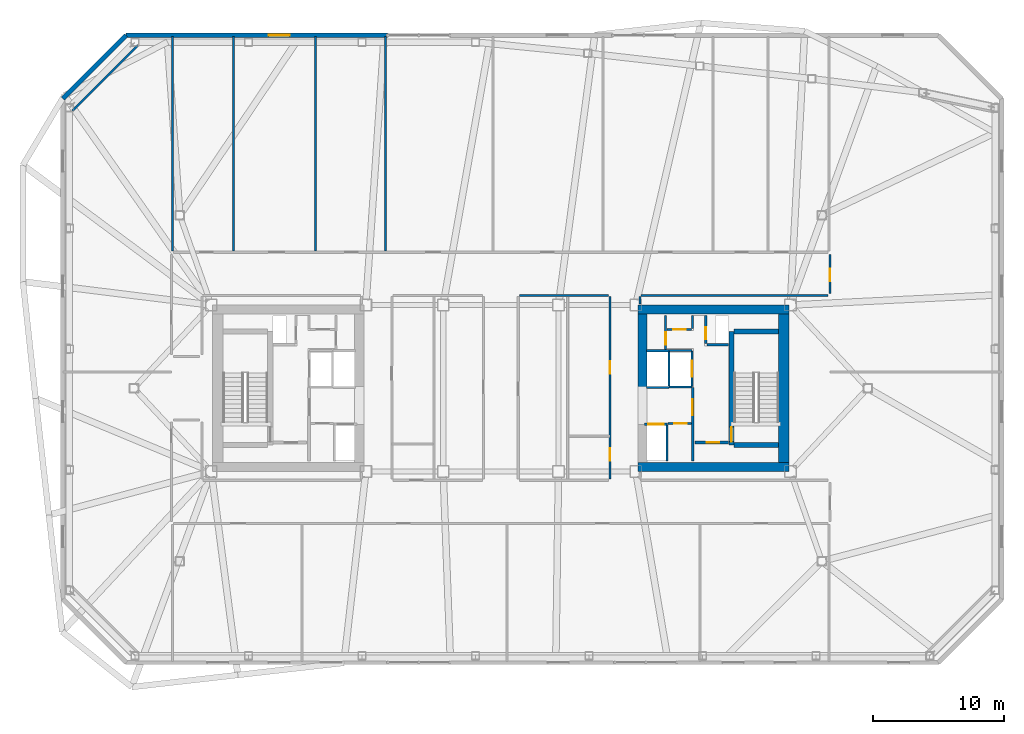
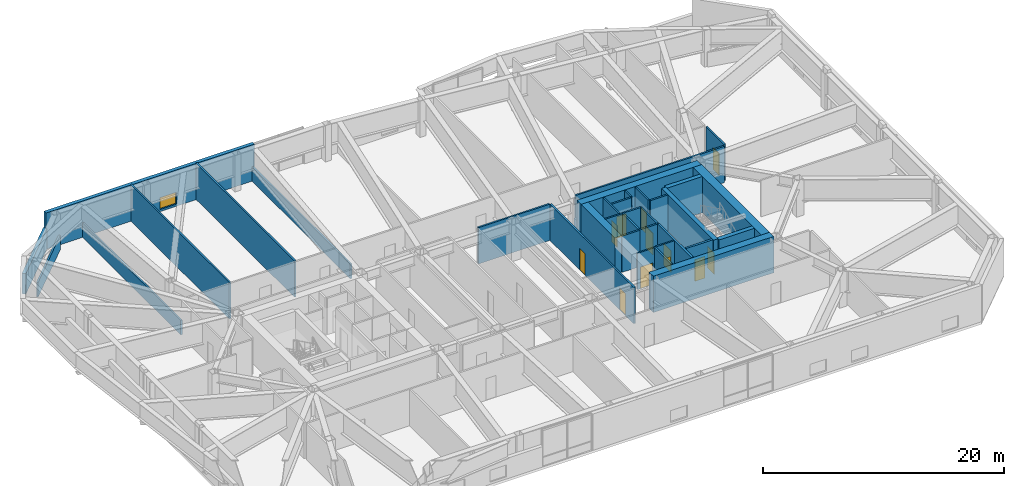
# One storey, part 14 of 19: 35 walls, 12 doors, 1 window, 13 openings.
"""IFC4 building model written with IfcOpenShell, lengths in metres."""

from ifc_helpers import new_model, si_unit, direction, frame, frame_2d, origin, place, context, subcontext, project, spatial, rectangle, extrude, material, layer, layer_set, type_object, element, fill, save


model = new_model("IFC4")

# Units and contexts
model_context = context("Model", 3, precision=1e-05, world=origin(), true_north=direction((0.0, 1.0)))
body_context = subcontext(model_context, "Body", "Model", "MODEL_VIEW")
ifc_project = project(units=[si_unit("LENGTHUNIT", "METRE"), si_unit("AREAUNIT", "SQUARE_METRE"), si_unit("VOLUMEUNIT", "CUBIC_METRE"), si_unit("PLANEANGLEUNIT", "RADIAN"), si_unit("MASSUNIT", "GRAM", prefix="KILO")], contexts=[model_context])

# Site, building, storey
site_placement = place(None, origin())
site = spatial("IfcSite", under=ifc_project, at=site_placement, CompositionType="ELEMENT")
building_placement = place(site_placement, origin())
building = spatial("IfcBuilding", under=site, at=building_placement, Name="Tavrogorsk Clinical Tower", CompositionType="ELEMENT")
storey_placement = place(building_placement, frame((0.0, 0.0, 204.199951171875)))
storey = spatial("IfcBuildingStorey", under=building, at=storey_placement, Name="L47", CompositionType="ELEMENT", Elevation=204.199951171875)

# Wall, opening, door
ifc_material_1 = material(Name="Concrete B60", Category="concrete")
ifc_layer_1 = layer(ifc_material_1, 0.199951171875)
ifc_layer_set_1 = layer_set([ifc_layer_1], Name="Concrete B60")
wall_type_1 = type_object("IfcWallType", Name="CoreFireWall_200", PredefinedType="SOLIDWALL", material=ifc_layer_set_1)
wall_1_placement = place(storey_placement, frame((14.824951171875, -4.139892578125, 0.0), z_axis=(0.0, 0.0, 1.0), x_axis=(1.0, 0.0, 0.0)))
wall_1 = element("IfcWall", 1, at=wall_1_placement, inside=storey, type_object=wall_type_1, Name="L47 Core East South Core Room Fire Wall", PredefinedType="SOLIDWALL", context=body_context, shape_type="SweptSolid", body=[
    extrude(rectangle(XDim=2.554931640625, YDim=0.199951171875, at=frame_2d((1.27734375, 0.0))), origin(), (0.0, 0.0, 1.0), 3.679931640625),
])
opening_1_placement = place(wall_1_placement, frame((0.8798828125, 0.0, 0.0)))
opening_1 = element("IfcOpeningElement", 2, at=opening_1_placement, cuts=wall_1, Name="Opening ID-02", PredefinedType="OPENING", context=body_context, shape_type="SweptSolid", body=[
    extrude(rectangle(XDim=0.949951171875, YDim=2.199951171875, at=frame_2d((0.47509765625, 1.10009765625))), frame((0.0, 0.10986328125, 0.0), z_axis=(0.0, -1.0, 0.0), x_axis=(1.0, 0.0, 0.0)), (0.0, 0.0, 1.0), 0.219970703125),
])
ifc_material_2 = material(Name="Laminated timber leaf on aluminium frame", Category="wood")
door_type_1 = type_object("IfcDoorType", Name="InteriorDoor_ID02_950", OperationType="NOTDEFINED", PredefinedType="DOOR", material=ifc_material_2)
door_1_placement = place(opening_1_placement, origin())
door_1 = element("IfcDoor", 3, at=door_1_placement, inside=storey, type_object=door_type_1, Name="L47 Core East South Core Room Door", OperationType="SINGLE_SWING_RIGHT", OverallHeight=2.199951171875, OverallWidth=0.949951171875, PredefinedType="DOOR", context=body_context, shape_type="SweptSolid", body=[
    extrude(rectangle(XDim=0.949951171875, YDim=2.199951171875, at=frame_2d((0.47509765625, 1.10009765625))), frame((0.0, 0.02490234375, 0.0), z_axis=(0.0, -1.0, 0.0), x_axis=(1.0, 0.0, 0.0)), (0.0, 0.0, 1.0), 0.050048828125),
])
fill(opening_1, door_1)

wall_2_placement = place(storey_placement, frame((14.639892578125, -5.56005859375, 0.0), z_axis=(0.0, 0.0, 1.0), x_axis=(0.0, 1.0, 0.0)))
wall_2 = element("IfcWall", 4, at=wall_2_placement, inside=storey, type_object=wall_type_1, Name="L47 Core East Firefighting Lobby Fire Wall", PredefinedType="SOLIDWALL", context=body_context, shape_type="SweptSolid", body=[
    extrude(rectangle(XDim=5.60009765625, YDim=0.199951171875, at=frame_2d((2.800048828125, 0.0))), origin(), (0.0, 0.0, 1.0), 3.679931640625),
])
opening_2_placement = place(wall_2_placement, frame((3.510009765625, 0.0, 0.0)))
opening_2 = element("IfcOpeningElement", 5, at=opening_2_placement, cuts=wall_2, Name="Opening FD-01", PredefinedType="OPENING", context=body_context, shape_type="SweptSolid", body=[
    extrude(rectangle(XDim=1.199951171875, YDim=2.199951171875, at=frame_2d((0.60009765625, 1.10009765625))), frame((0.0, 0.10986328125, 0.0), z_axis=(0.0, -1.0, 0.0), x_axis=(1.0, 0.0, 0.0)), (0.0, 0.0, 1.0), 0.219970703125),
])
ifc_material_3 = material(Name="Galvanised steel fire-rated door assembly", Category="steel")
door_type_2 = type_object("IfcDoorType", Name="FireDoor_FD01_1200", OperationType="NOTDEFINED", PredefinedType="DOOR", material=ifc_material_3)
door_2_placement = place(opening_2_placement, origin())
door_2 = element("IfcDoor", 6, at=door_2_placement, inside=storey, type_object=door_type_2, Name="L47 Core East Firefighting Lobby Entry Door", OperationType="SINGLE_SWING_RIGHT", OverallHeight=2.199951171875, OverallWidth=1.199951171875, PredefinedType="DOOR", context=body_context, shape_type="SweptSolid", body=[
    extrude(rectangle(XDim=1.199951171875, YDim=2.199951171875, at=frame_2d((0.60009765625, 1.10009765625))), frame((0.0, 0.02490234375, 0.0), z_axis=(0.0, -1.0, 0.0), x_axis=(1.0, 0.0, 0.0)), (0.0, 0.0, 1.0), 0.050048828125),
])
fill(opening_2, door_2)

ifc_material_4 = material(Name="Lightweight concrete blockwork B15", Category="masonry")
ifc_layer_2 = layer(ifc_material_4, 0.159912109375)
ifc_layer_set_2 = layer_set([ifc_layer_2], Name="Lightweight concrete blockwork B15")
wall_type_2 = type_object("IfcWallType", Name="PartitionWall_160", PredefinedType="PARTITIONING", material=ifc_layer_set_2)
wall_3_placement = place(storey_placement, frame((12.77490234375, -2.699951171875, 0.0), z_axis=(0.0, 0.0, 1.0), x_axis=(1.0, 0.0, 0.0)))
wall_3 = element("IfcWall", 7, at=wall_3_placement, inside=storey, type_object=wall_type_2, Name="L47 Core East Freed Low-Bank North Partition", PredefinedType="PARTITIONING", context=body_context, shape_type="SweptSolid", body=[
    extrude(rectangle(XDim=1.760009765625, YDim=0.159912109375, at=frame_2d((0.8798828125, 0.0))), origin(), (0.0, 0.0, 1.0), 3.679931640625),
])
opening_3_placement = place(wall_3_placement, frame((0.449951171875, 0.0, 0.0)))
opening_3 = element("IfcOpeningElement", 8, at=opening_3_placement, cuts=wall_3, Name="Opening ID-02", PredefinedType="OPENING", context=body_context, shape_type="SweptSolid", body=[
    extrude(rectangle(XDim=0.949951171875, YDim=2.199951171875, at=frame_2d((0.47509765625, 1.10009765625))), frame((0.0, 0.08984375, 0.0), z_axis=(0.0, -1.0, 0.0), x_axis=(1.0, 0.0, 0.0)), (0.0, 0.0, 1.0), 0.179931640625),
])
door_3_placement = place(opening_3_placement, origin())
door_3 = element("IfcDoor", 9, at=door_3_placement, inside=storey, type_object=door_type_1, Name="L47 Core East Biomedical Alcove Door", OperationType="SINGLE_SWING_LEFT", OverallHeight=2.199951171875, OverallWidth=0.949951171875, PredefinedType="DOOR", context=body_context, shape_type="SweptSolid", body=[
    extrude(rectangle(XDim=0.949951171875, YDim=2.199951171875, at=frame_2d((0.47509765625, 1.10009765625))), frame((0.0, 0.02490234375, 0.0), z_axis=(0.0, -1.0, 0.0), x_axis=(1.0, 0.0, 0.0)), (0.0, 0.0, 1.0), 0.050048828125),
])
fill(opening_3, door_3)

wall_4_placement = place(storey_placement, frame((12.580078125, 2.9599609375, 0.0), z_axis=(0.0, 0.0, 1.0), x_axis=(0.0, 1.0, 0.0)))
wall_4 = element("IfcWall", 10, at=wall_4_placement, inside=storey, type_object=wall_type_2, Name="L47 Core East Linen Closet Wall", PredefinedType="PARTITIONING", context=body_context, shape_type="SweptSolid", body=[
    extrude(rectangle(XDim=2.60009765625, YDim=0.159912109375, at=frame_2d((1.300048828125, 0.0))), origin(), (0.0, 0.0, 1.0), 3.679931640625),
])
opening_4_placement = place(wall_4_placement, frame((0.35009765625, 0.0, 0.0)))
opening_4 = element("IfcOpeningElement", 11, at=opening_4_placement, cuts=wall_4, Name="Opening ID-02", PredefinedType="OPENING", context=body_context, shape_type="SweptSolid", body=[
    extrude(rectangle(XDim=0.949951171875, YDim=2.199951171875, at=frame_2d((0.47509765625, 1.10009765625))), frame((0.0, 0.08984375, 0.0), z_axis=(0.0, -1.0, 0.0), x_axis=(1.0, 0.0, 0.0)), (0.0, 0.0, 1.0), 0.179931640625),
])
door_4_placement = place(opening_4_placement, origin())
door_4 = element("IfcDoor", 12, at=door_4_placement, inside=storey, type_object=door_type_1, Name="L47 Core East Linen Closet Door", OperationType="SINGLE_SWING_RIGHT", OverallHeight=2.199951171875, OverallWidth=0.949951171875, PredefinedType="DOOR", context=body_context, shape_type="SweptSolid", body=[
    extrude(rectangle(XDim=0.949951171875, YDim=2.199951171875, at=frame_2d((0.47509765625, 1.10009765625))), frame((0.0, 0.02490234375, 0.0), z_axis=(0.0, -1.0, 0.0), x_axis=(1.0, 0.0, 0.0)), (0.0, 0.0, 1.0), 0.050048828125),
])
fill(opening_4, door_4)

wall_5_placement = place(storey_placement, frame((12.6650390625, 4.47998046875, 0.0), z_axis=(0.0, 0.0, 1.0), x_axis=(1.0, 0.0, 0.0)))
wall_5 = element("IfcWall", 13, at=wall_5_placement, inside=storey, type_object=wall_type_2, Name="L47 Core East Housekeeping South Wall", PredefinedType="PARTITIONING", context=body_context, shape_type="SweptSolid", body=[
    extrude(rectangle(XDim=1.889892578125, YDim=0.159912109375, at=frame_2d((0.94482421875, 0.0))), origin(), (0.0, 0.0, 1.0), 3.679931640625),
])
opening_5_placement = place(wall_5_placement, frame((0.5, 0.0, 0.0)))
opening_5 = element("IfcOpeningElement", 14, at=opening_5_placement, cuts=wall_5, Name="Opening ID-02", PredefinedType="OPENING", context=body_context, shape_type="SweptSolid", body=[
    extrude(rectangle(XDim=0.949951171875, YDim=2.199951171875, at=frame_2d((0.47509765625, 1.10009765625))), frame((0.0, 0.08984375, 0.0), z_axis=(0.0, -1.0, 0.0), x_axis=(1.0, 0.0, 0.0)), (0.0, 0.0, 1.0), 0.179931640625),
])
door_5_placement = place(opening_5_placement, origin())
door_5 = element("IfcDoor", 15, at=door_5_placement, inside=storey, type_object=door_type_1, Name="L47 Core East Housekeeping Closet Door", OperationType="SINGLE_SWING_LEFT", OverallHeight=2.199951171875, OverallWidth=0.949951171875, PredefinedType="DOOR", context=body_context, shape_type="SweptSolid", body=[
    extrude(rectangle(XDim=0.949951171875, YDim=2.199951171875, at=frame_2d((0.47509765625, 1.10009765625))), frame((0.0, 0.02490234375, 0.0), z_axis=(0.0, -1.0, 0.0), x_axis=(1.0, 0.0, 0.0)), (0.0, 0.0, 1.0), 0.050048828125),
])
fill(opening_5, door_5)

# Walls
wall_6_placement = place(storey_placement, frame((14.639892578125, 4.56494140625, 0.0), z_axis=(0.0, 0.0, 1.0), x_axis=(0.0, 1.0, 0.0)))
element("IfcWall", 16, at=wall_6_placement, inside=storey, type_object=wall_type_2, Name="L47 Core East Housekeeping East Wall", PredefinedType="PARTITIONING", context=body_context, shape_type="SweptSolid", body=[
    extrude(rectangle(XDim=0.9951171875, YDim=0.159912109375, at=frame_2d((0.49755859375, 0.0))), origin(), (0.0, 0.0, 1.0), 3.679931640625),
])
wall_7_placement = place(storey_placement, frame((-27.6796875, 26.1796875, 0.0), z_axis=(0.0, 0.0, 1.0), x_axis=(-0.707106781187, -0.707106781187, 0.0)))
element("IfcWall", 17, at=wall_7_placement, inside=storey, type_object=wall_type_2, Name="L47 Corner Exoskeleton Brace Furring Wall 3", PredefinedType="PARTITIONING", context=body_context, shape_type="SweptSolid", body=[
    extrude(rectangle(XDim=7.071044921875, YDim=0.159912109375, at=frame_2d((3.53564453125, 0.0))), origin(), (0.0, 0.0, 1.0), 1.47509765625),
])

# Wall, opening, door
wall_8_placement = place(storey_placement, frame((25.1298828125, 10.215087890625, 0.0), z_axis=(0.0, 0.0, 1.0), x_axis=(0.0, -1.0, 0.0)))
wall_8 = element("IfcWall", 18, at=wall_8_placement, inside=storey, type_object=wall_type_2, Name="L47 Corridor Partition 12", PredefinedType="PARTITIONING", context=body_context, shape_type="SweptSolid", body=[
    extrude(rectangle(XDim=2.97998046875, YDim=0.159912109375, at=frame_2d((1.489990234375, 0.0))), origin(), (0.0, 0.0, 1.0), 3.679931640625),
])
opening_6_placement = place(wall_8_placement, frame((1.10009765625, 0.0, 0.0)))
opening_6 = element("IfcOpeningElement", 19, at=opening_6_placement, cuts=wall_8, Name="Opening ID-02", PredefinedType="OPENING", context=body_context, shape_type="SweptSolid", body=[
    extrude(rectangle(XDim=0.949951171875, YDim=2.199951171875, at=frame_2d((0.47509765625, 1.10009765625))), frame((0.0, 0.08984375, 0.0), z_axis=(0.0, -1.0, 0.0), x_axis=(1.0, 0.0, 0.0)), (0.0, 0.0, 1.0), 0.179931640625),
])
door_6_placement = place(opening_6_placement, origin())
door_6 = element("IfcDoor", 20, at=door_6_placement, inside=storey, type_object=door_type_1, Name="L47 E Multidisciplinary Seminar Suite 2 Door", OperationType="SINGLE_SWING_RIGHT", OverallHeight=2.199951171875, OverallWidth=0.949951171875, PredefinedType="DOOR", context=body_context, shape_type="SweptSolid", body=[
    extrude(rectangle(XDim=0.949951171875, YDim=2.199951171875, at=frame_2d((0.47509765625, 1.10009765625))), frame((0.0, 0.02490234375, 0.0), z_axis=(0.0, -1.0, 0.0), x_axis=(1.0, 0.0, 0.0)), (0.0, 0.0, 1.0), 0.050048828125),
])
fill(opening_6, door_6)

# Walls
wall_9_placement = place(storey_placement, frame((24.965087890625, 7.070068359375, 0.0), z_axis=(0.0, 0.0, 1.0), x_axis=(-1.0, 0.0, 0.0)))
element("IfcWall", 21, at=wall_9_placement, inside=storey, type_object=wall_type_2, Name="L47 Corridor Partition 13", PredefinedType="PARTITIONING", context=body_context, shape_type="SweptSolid", body=[
    extrude(rectangle(XDim=14.25, YDim=0.159912109375, at=frame_2d((7.125, 0.0))), origin(), (0.0, 0.0, 1.0), 3.679931640625),
])
wall_10_placement = place(storey_placement, frame((10.6298828125, 6.985107421875, 0.0), z_axis=(0.0, 0.0, 1.0), x_axis=(0.0, -1.0, 0.0)))
element("IfcWall", 22, at=wall_10_placement, inside=storey, type_object=wall_type_2, Name="L47 Corridor Partition 14", PredefinedType="PARTITIONING", context=body_context, shape_type="SweptSolid", body=[
    extrude(rectangle(XDim=0.565185546875, YDim=0.159912109375, at=frame_2d((0.28271484375, 0.0))), origin(), (0.0, 0.0, 1.0), 1.47509765625),
])
wall_11_placement = place(storey_placement, frame((8.235107421875, 7.070068359375, 0.0), z_axis=(0.0, 0.0, 1.0), x_axis=(-1.0, 0.0, 0.0)))
element("IfcWall", 23, at=wall_11_placement, inside=storey, type_object=wall_type_2, Name="L47 Corridor Partition 19", PredefinedType="PARTITIONING", context=body_context, shape_type="SweptSolid", body=[
    extrude(rectangle(XDim=6.820068359375, YDim=0.159912109375, at=frame_2d((3.41015625, 0.0))), origin(), (0.0, 0.0, 1.0), 3.679931640625),
])

# Wall, openings, doors
wall_12_placement = place(storey_placement, frame((8.320068359375, -6.93505859375, 0.0), z_axis=(0.0, 0.0, 1.0), x_axis=(0.0, 1.0, 0.0)))
wall_12 = element("IfcWall", 24, at=wall_12_placement, inside=storey, type_object=wall_type_2, Name="L47 Corridor Partition 22", PredefinedType="PARTITIONING", context=body_context, shape_type="SweptSolid", body=[
    extrude(rectangle(XDim=13.920166015625, YDim=0.159912109375, at=frame_2d((6.9599609375, 0.0))), origin(), (0.0, 0.0, 1.0), 3.679931640625),
])
opening_7_placement = place(wall_12_placement, frame((1.404052734375, 0.0, 0.0)))
opening_7 = element("IfcOpeningElement", 25, at=opening_7_placement, cuts=wall_12, Name="Opening ID-02", PredefinedType="OPENING", context=body_context, shape_type="SweptSolid", body=[
    extrude(rectangle(XDim=0.949951171875, YDim=2.199951171875, at=frame_2d((0.47509765625, 1.10009765625))), frame((0.0, 0.08984375, 0.0), z_axis=(0.0, -1.0, 0.0), x_axis=(1.0, 0.0, 0.0)), (0.0, 0.0, 1.0), 0.179931640625),
])
opening_8_placement = place(wall_12_placement, frame((8.060791015625, 0.0, 0.0)))
opening_8 = element("IfcOpeningElement", 26, at=opening_8_placement, cuts=wall_12, Name="Opening ID-02", PredefinedType="OPENING", context=body_context, shape_type="SweptSolid", body=[
    extrude(rectangle(XDim=0.949951171875, YDim=2.199951171875, at=frame_2d((0.47509765625, 1.10009765625))), frame((0.0, 0.08984375, 0.0), z_axis=(0.0, -1.0, 0.0), x_axis=(1.0, 0.0, 0.0)), (0.0, 0.0, 1.0), 0.179931640625),
])
door_7_placement = place(opening_7_placement, origin())
door_7 = element("IfcDoor", 27, at=door_7_placement, inside=storey, type_object=door_type_1, Name="L47 Staff & Visitor Accessible WC Door", OperationType="SINGLE_SWING_LEFT", OverallHeight=2.199951171875, OverallWidth=0.949951171875, PredefinedType="DOOR", context=body_context, shape_type="SweptSolid", body=[
    extrude(rectangle(XDim=0.949951171875, YDim=2.199951171875, at=frame_2d((0.47509765625, 1.10009765625))), frame((0.0, 0.02490234375, 0.0), z_axis=(0.0, -1.0, 0.0), x_axis=(1.0, 0.0, 0.0)), (0.0, 0.0, 1.0), 0.050048828125),
])
fill(opening_7, door_7)
door_8_placement = place(opening_8_placement, origin())
door_8 = element("IfcDoor", 28, at=door_8_placement, inside=storey, type_object=door_type_1, Name="L47 Resident Clinician Study Door", OperationType="SINGLE_SWING_RIGHT", OverallHeight=2.199951171875, OverallWidth=0.949951171875, PredefinedType="DOOR", context=body_context, shape_type="SweptSolid", body=[
    extrude(rectangle(XDim=0.949951171875, YDim=2.199951171875, at=frame_2d((0.47509765625, 1.10009765625))), frame((0.0, 0.02490234375, 0.0), z_axis=(0.0, -1.0, 0.0), x_axis=(1.0, 0.0, 0.0)), (0.0, 0.0, 1.0), 0.050048828125),
])
fill(opening_8, door_8)

# Walls
wall_13_placement = place(storey_placement, frame((-25.050048828125, 10.465087890625, 0.0), z_axis=(0.0, 0.0, 1.0), x_axis=(0.0, 1.0, 0.0)))
element("IfcWall", 29, at=wall_13_placement, inside=storey, type_object=wall_type_2, Name="L47 NW Wing Closure Partition", PredefinedType="PARTITIONING", context=body_context, shape_type="SweptSolid", body=[
    extrude(rectangle(XDim=16.39501953125, YDim=0.159912109375, at=frame_2d((8.197509765625, 0.0))), origin(), (0.0, 0.0, 1.0), 1.47509765625),
])
wall_14_placement = place(storey_placement, frame((-20.39990234375, 10.465087890625, 0.0), z_axis=(0.0, 0.0, 1.0), x_axis=(0.0, 1.0, 0.0)))
element("IfcWall", 30, at=wall_14_placement, inside=storey, type_object=wall_type_2, Name="L47 North Room Partition 1", PredefinedType="PARTITIONING", context=body_context, shape_type="SweptSolid", body=[
    extrude(rectangle(XDim=16.39501953125, YDim=0.159912109375, at=frame_2d((8.197509765625, 0.0))), origin(), (0.0, 0.0, 1.0), 3.679931640625),
])
wall_15_placement = place(storey_placement, frame((-8.800048828125, 10.465087890625, 0.0), z_axis=(0.0, 0.0, 1.0), x_axis=(0.0, 1.0, 0.0)))
element("IfcWall", 31, at=wall_15_placement, inside=storey, type_object=wall_type_2, Name="L47 North Room Partition 2", PredefinedType="PARTITIONING", context=body_context, shape_type="SweptSolid", body=[
    extrude(rectangle(XDim=16.39501953125, YDim=0.159912109375, at=frame_2d((8.197509765625, 0.0))), origin(), (0.0, 0.0, 1.0), 1.47509765625),
])
wall_16_placement = place(storey_placement, frame((-14.14990234375, 10.465087890625, 0.0), z_axis=(0.0, 0.0, 1.0), x_axis=(0.0, 1.0, 0.0)))
element("IfcWall", 32, at=wall_16_placement, inside=storey, type_object=wall_type_2, Name="L47 North Sub-Partition 2", PredefinedType="PARTITIONING", context=body_context, shape_type="SweptSolid", body=[
    extrude(rectangle(XDim=16.39501953125, YDim=0.159912109375, at=frame_2d((8.197509765625, 0.0))), origin(), (0.0, 0.0, 1.0), 3.679931640625),
])

# Wall, opening, window
ifc_material_5 = material(Name="Precast concrete B45 with limestone cladding", Category="masonry")
ifc_layer_3 = layer(ifc_material_5, 0.340087890625)
ifc_layer_set_3 = layer_set([ifc_layer_3], Name="Precast concrete B45 with limestone cladding")
wall_type_3 = type_object("IfcWallType", Name="PrecastLimestoneWall_340", PredefinedType="STANDARD", material=ifc_layer_set_3)
wall_17_placement = place(storey_placement, frame((-8.662841796875, 26.929931640625, 0.0), z_axis=(0.0, 0.0, 1.0), x_axis=(-1.0, 0.0, 0.0)))
wall_17 = element("IfcWall", 33, at=wall_17_placement, inside=storey, type_object=wall_type_3, Name="L47 N Limestone Facade Wall 3", PredefinedType="STANDARD", context=body_context, shape_type="SweptSolid", body=[
    extrude(rectangle(XDim=19.937255859375, YDim=0.340087890625, at=frame_2d((9.96875, 0.0))), origin(), (0.0, 0.0, 1.0), 3.679931640625),
])
opening_9_placement = place(wall_17_placement, frame((7.455322265625, 0.0, 0.219970703125)))
opening_9 = element("IfcOpeningElement", 34, at=opening_9_placement, cuts=wall_17, Name="Opening WN-09", PredefinedType="OPENING", context=body_context, shape_type="SweptSolid", body=[
    extrude(rectangle(XDim=1.60009765625, YDim=1.199951171875, at=frame_2d((0.800048828125, 0.60009765625))), frame((0.0, 0.179931640625, 0.0), z_axis=(0.0, -1.0, 0.0), x_axis=(1.0, 0.0, 0.0)), (0.0, 0.0, 1.0), 0.360107421875),
])
ifc_material_6 = material(Name="Thermally broken aluminium frame and triple IGU", Category="aluminium")
window_type = type_object("IfcWindowType", Name="LowHeadTransWin_1600x1200", PartitioningType="DOUBLE_PANEL_VERTICAL", PredefinedType="WINDOW", material=ifc_material_6)
window_placement = place(opening_9_placement, origin())
window = element("IfcWindow", 35, at=window_placement, inside=storey, type_object=window_type, Name="L47 N Chicago Window 03", OverallHeight=1.199951171875, OverallWidth=1.60009765625, PartitioningType="SINGLE_PANEL", PredefinedType="WINDOW", context=body_context, shape_type="SweptSolid", body=[
    extrude(rectangle(XDim=1.60009765625, YDim=1.199951171875, at=frame_2d((0.800048828125, 0.60009765625))), frame((0.0, 0.030029296875, 0.0), z_axis=(0.0, -1.0, 0.0), x_axis=(1.0, 0.0, 0.0)), (0.0, 0.0, 1.0), 0.06005859375),
])
fill(opening_9, window)

# Wall
wall_18_placement = place(storey_placement, frame((-28.60009765625, 26.929931640625, 0.0), z_axis=(0.0, 0.0, 1.0), x_axis=(-0.707106781187, -0.707106781187, 0.0)))
element("IfcWall", 36, at=wall_18_placement, inside=storey, type_object=wall_type_3, Name="L47 Chamfered Corner Wall 3", PredefinedType="STANDARD", context=body_context, shape_type="SweptSolid", body=[
    extrude(rectangle(XDim=6.830322265625, YDim=0.340087890625, at=frame_2d((3.4150390625, 0.0))), origin(), (0.0, 0.0, 1.0), 2.074951171875),
])

# Wall, opening, door
ifc_material_7 = material(Name="Lightweight concrete blockwork B25", Category="masonry")
ifc_layer_4 = layer(ifc_material_7, 0.159912109375)
ifc_layer_set_4 = layer_set([ifc_layer_4], Name="Lightweight concrete blockwork B25")
wall_type_4 = type_object("IfcWallType", Name="ShaftWall_160", PredefinedType="PARTITIONING", material=ifc_layer_set_4)
wall_19_placement = place(storey_placement, frame((14.60009765625, 0.1201171875, 0.0), z_axis=(0.0, 0.0, 1.0), x_axis=(0.0, 1.0, 0.0)))
wall_19 = element("IfcWall", 37, at=wall_19_placement, inside=storey, type_object=wall_type_4, Name="L47 FFL-E Firefighting Lift Front Wall", PredefinedType="PARTITIONING", context=body_context, shape_type="SweptSolid", body=[
    extrude(rectangle(XDim=2.739990234375, YDim=0.159912109375, at=frame_2d((1.3701171875, 0.0))), origin(), (0.0, 0.0, 1.0), 3.679931640625),
])
opening_10_placement = place(wall_19_placement, frame((0.77001953125, 0.0, 0.0)))
opening_10 = element("IfcOpeningElement", 38, at=opening_10_placement, cuts=wall_19, Name="Opening LD", PredefinedType="OPENING", context=body_context, shape_type="SweptSolid", body=[
    extrude(rectangle(XDim=1.199951171875, YDim=2.199951171875, at=frame_2d((0.60009765625, 1.10009765625))), frame((0.0, 0.08984375, 0.0), z_axis=(0.0, -1.0, 0.0), x_axis=(1.0, 0.0, 0.0)), (0.0, 0.0, 1.0), 0.179931640625),
])
ifc_material_8 = material(Name="Brushed stainless steel AISI 304 sliding doors", Category="steel")
door_type_3 = type_object("IfcDoorType", Name="LiftLandingDoor_LD_1200", OperationType="SLIDING_TO_LEFT", PredefinedType="DOOR", material=ifc_material_8)
door_9_placement = place(opening_10_placement, origin())
door_9 = element("IfcDoor", 39, at=door_9_placement, inside=storey, type_object=door_type_3, Name="L47 FFL-E Sliding Lift Landing Door", OperationType="SLIDING_TO_LEFT", OverallHeight=2.199951171875, OverallWidth=1.199951171875, PredefinedType="DOOR", context=body_context, shape_type="SweptSolid", body=[
    extrude(rectangle(XDim=1.199951171875, YDim=2.199951171875, at=frame_2d((0.60009765625, 1.10009765625))), frame((0.0, 0.02490234375, 0.0), z_axis=(0.0, -1.0, 0.0), x_axis=(1.0, 0.0, 0.0)), (0.0, 0.0, 1.0), 0.050048828125),
])
fill(opening_10, door_9)

# Walls
for number, where, z_axis, x_axis, name in (
    (40, (12.840087890625, 0.10009765625, 0.0), (0.0, 0.0, 1.0), (1.0, 0.0, 0.0), "L47 FFL-E Shaft South Wall"),
    (41, (12.840087890625, 2.8798828125, 0.0), (0.0, 0.0, 1.0), (1.0, 0.0, 0.0), "L47 FFL-E Shaft North Wall"),
):
    element("IfcWall", number, at=place(storey_placement, frame(where, z_axis=z_axis, x_axis=x_axis)), inside=storey, type_object=wall_type_4, Name=name, PredefinedType="PARTITIONING", context=body_context, shape_type="SweptSolid", body=[
        extrude(rectangle(XDim=1.760009765625, YDim=0.159912109375, at=frame_2d((0.8798828125, 0.0))), origin(), (0.0, 0.0, 1.0), 3.679931640625),
    ])
wall_20_placement = place(storey_placement, frame((12.840087890625, 0.179931640625, 0.0), z_axis=(0.0, 0.0, 1.0), x_axis=(0.0, 1.0, 0.0)))
element("IfcWall", 42, at=wall_20_placement, inside=storey, type_object=wall_type_4, Name="L47 FFL-E Shaft Back Wall", PredefinedType="PARTITIONING", context=body_context, shape_type="SweptSolid", body=[
    extrude(rectangle(XDim=2.6201171875, YDim=0.159912109375, at=frame_2d((1.31005859375, 0.0))), origin(), (0.0, 0.0, 1.0), 3.679931640625),
])

# Wall, opening, door
wall_21_placement = place(storey_placement, frame((10.969970703125, -2.75, 0.0), z_axis=(0.0, 0.0, 1.0), x_axis=(1.0, 0.0, 0.0)))
wall_21 = element("IfcWall", 43, at=wall_21_placement, inside=storey, type_object=wall_type_4, Name="L47 LP-M2 Lift Shaft Portal Wall", PredefinedType="PARTITIONING", context=body_context, shape_type="SweptSolid", body=[
    extrude(rectangle(XDim=1.760009765625, YDim=0.159912109375, at=frame_2d((0.8798828125, 0.0))), origin(), (0.0, 0.0, 1.0), 3.679931640625),
])
opening_11_placement = place(wall_21_placement, frame((0.280029296875, 0.0, 0.0)))
opening_11 = element("IfcOpeningElement", 44, at=opening_11_placement, cuts=wall_21, Name="Opening LD", PredefinedType="OPENING", context=body_context, shape_type="SweptSolid", body=[
    extrude(rectangle(XDim=1.199951171875, YDim=2.199951171875, at=frame_2d((0.60009765625, 1.10009765625))), frame((0.0, 0.08984375, 0.0), z_axis=(0.0, -1.0, 0.0), x_axis=(1.0, 0.0, 0.0)), (0.0, 0.0, 1.0), 0.179931640625),
])
door_10_placement = place(opening_11_placement, origin())
door_10 = element("IfcDoor", 45, at=door_10_placement, inside=storey, type_object=door_type_3, Name="L47 LP-M2 Sliding Lift Landing Door", OperationType="SLIDING_TO_LEFT", OverallHeight=2.199951171875, OverallWidth=1.199951171875, PredefinedType="DOOR", context=body_context, shape_type="SweptSolid", body=[
    extrude(rectangle(XDim=1.199951171875, YDim=2.199951171875, at=frame_2d((0.60009765625, 1.10009765625))), frame((0.0, 0.02490234375, 0.0), z_axis=(0.0, -1.0, 0.0), x_axis=(1.0, 0.0, 0.0)), (0.0, 0.0, 1.0), 0.050048828125),
])
fill(opening_11, door_10)

# Walls
for number, where, z_axis, x_axis, name in (
    (46, (11.10009765625, 0.06005859375, 0.0), (0.0, 0.0, 1.0), (1.0, 0.0, 0.0), "L47 LP-H2 High-Zone Lift Portal Wall"),
    (47, (11.10009765625, 2.860107421875, 0.0), (0.0, 0.0, 1.0), (1.0, 0.0, 0.0), "L47 LP-H2 High-Zone Lift Rear Wall"),
):
    element("IfcWall", number, at=place(storey_placement, frame(where, z_axis=z_axis, x_axis=x_axis)), inside=storey, type_object=wall_type_4, Name=name, PredefinedType="PARTITIONING", context=body_context, shape_type="SweptSolid", body=[
        extrude(rectangle(XDim=1.719970703125, YDim=0.159912109375, at=frame_2d((0.85986328125, 0.0))), origin(), (0.0, 0.0, 1.0), 3.679931640625),
    ])

# Wall, opening, door
wall_22_placement = place(storey_placement, frame((15.639892578125, 3.405029296875, 0.0), z_axis=(0.0, 0.0, 1.0), x_axis=(0.0, 1.0, 0.0)))
wall_22 = element("IfcWall", 48, at=wall_22_placement, inside=storey, type_object=wall_type_4, Name="L47 Core East Riser West Wall", PredefinedType="PARTITIONING", context=body_context, shape_type="SweptSolid", body=[
    extrude(rectangle(XDim=2.155029296875, YDim=0.159912109375, at=frame_2d((1.07763671875, 0.0))), origin(), (0.0, 0.0, 1.0), 3.679931640625),
])
opening_12_placement = place(wall_22_placement, frame((0.35009765625, 0.0, 0.0)))
opening_12 = element("IfcOpeningElement", 49, at=opening_12_placement, cuts=wall_22, Name="Opening FD-02", PredefinedType="OPENING", context=body_context, shape_type="SweptSolid", body=[
    extrude(rectangle(XDim=0.89990234375, YDim=2.199951171875, at=frame_2d((0.449951171875, 1.10009765625))), frame((0.0, 0.08984375, 0.0), z_axis=(0.0, -1.0, 0.0), x_axis=(1.0, 0.0, 0.0)), (0.0, 0.0, 1.0), 0.179931640625),
])
ifc_material_9 = material(Name="Galvanised steel fire-rated door assembly", Category="steel")
door_type_4 = type_object("IfcDoorType", Name="FireDoor_FD02_900", OperationType="NOTDEFINED", PredefinedType="DOOR", material=ifc_material_9)
door_11_placement = place(opening_12_placement, origin())
door_11 = element("IfcDoor", 50, at=door_11_placement, inside=storey, type_object=door_type_4, Name="L47 Core East Electrical Riser Access Door", OperationType="SINGLE_SWING_LEFT", OverallHeight=2.199951171875, OverallWidth=0.89990234375, PredefinedType="DOOR", context=body_context, shape_type="SweptSolid", body=[
    extrude(rectangle(XDim=0.89990234375, YDim=2.199951171875, at=frame_2d((0.449951171875, 1.10009765625))), frame((0.0, 0.02490234375, 0.0), z_axis=(0.0, -1.0, 0.0), x_axis=(1.0, 0.0, 0.0)), (0.0, 0.0, 1.0), 0.050048828125),
])
fill(opening_12, door_11)

# Walls
wall_23_placement = place(storey_placement, frame((15.72509765625, 3.320068359375, 0.0), z_axis=(0.0, 0.0, 1.0), x_axis=(1.0, 0.0, 0.0)))
element("IfcWall", 51, at=wall_23_placement, inside=storey, type_object=wall_type_4, Name="L47 Core East Riser South Wall", PredefinedType="PARTITIONING", context=body_context, shape_type="SweptSolid", body=[
    extrude(rectangle(XDim=1.65478515625, YDim=0.159912109375, at=frame_2d((0.827392578125, 0.0))), origin(), (0.0, 0.0, 1.0), 3.679931640625),
])
wall_24_placement = place(storey_placement, frame((12.68994140625, -5.56005859375, 0.0), z_axis=(0.0, 0.0, 1.0), x_axis=(0.0, 1.0, 0.0)))
element("IfcWall", 52, at=wall_24_placement, inside=storey, type_object=wall_type_4, Name="L47 Core East Freed Low-Bank Shaft Divider", PredefinedType="PARTITIONING", context=body_context, shape_type="SweptSolid", body=[
    extrude(rectangle(XDim=2.775146484375, YDim=0.159912109375, at=frame_2d((1.3876953125, 0.0))), origin(), (0.0, 0.0, 1.0), 3.679931640625),
])

# Wall, opening, door
ifc_material_10 = material(Name="Concrete B80", Category="concrete")
ifc_layer_5 = layer(ifc_material_10, 0.39990234375)
ifc_layer_set_5 = layer_set([ifc_layer_5], Name="Concrete B80")
wall_type_5 = type_object("IfcWallType", Name="ShearWall_400", PredefinedType="SHEAR", material=ifc_layer_set_5)
wall_25_placement = place(storey_placement, frame((17.60009765625, -4.324951171875, 0.0), z_axis=(0.0, 0.0, 1.0), x_axis=(0.0, 1.0, 0.0)))
wall_25 = element("IfcWall", 53, at=wall_25_placement, inside=storey, type_object=wall_type_5, Name="L47 Core East Stair Shaft Inner Shear Wall", PredefinedType="SHEAR", context=body_context, shape_type="SweptSolid", body=[
    extrude(rectangle(XDim=8.64990234375, YDim=0.39990234375, at=frame_2d((4.324951171875, 0.0))), origin(), (0.0, 0.0, 1.0), 3.679931640625),
])
opening_13_placement = place(wall_25_placement, frame((0.25, 0.0, 0.0)))
opening_13 = element("IfcOpeningElement", 54, at=opening_13_placement, cuts=wall_25, Name="Opening SD-01", PredefinedType="OPENING", context=body_context, shape_type="SweptSolid", body=[
    extrude(rectangle(XDim=1.10009765625, YDim=2.199951171875, at=frame_2d((0.550048828125, 1.10009765625))), frame((0.0, 0.2099609375, 0.0), z_axis=(0.0, -1.0, 0.0), x_axis=(1.0, 0.0, 0.0)), (0.0, 0.0, 1.0), 0.419921875),
])
ifc_material_11 = material(Name="Galvanised steel smoke-tight fire door assembly", Category="steel")
door_type_5 = type_object("IfcDoorType", Name="StairFireDoor_SD01_1100", OperationType="NOTDEFINED", PredefinedType="DOOR", material=ifc_material_11)
door_12_placement = place(opening_13_placement, origin())
door_12 = element("IfcDoor", 55, at=door_12_placement, inside=storey, type_object=door_type_5, Name="L47 ST-E Exit Stair Door", OperationType="SINGLE_SWING_LEFT", OverallHeight=2.199951171875, OverallWidth=1.10009765625, PredefinedType="DOOR", context=body_context, shape_type="SweptSolid", body=[
    extrude(rectangle(XDim=1.10009765625, YDim=2.199951171875, at=frame_2d((0.550048828125, 1.10009765625))), frame((0.0, 0.02490234375, 0.0), z_axis=(0.0, -1.0, 0.0), x_axis=(1.0, 0.0, 0.0)), (0.0, 0.0, 1.0), 0.050048828125),
])
fill(opening_13, door_12)

# Walls
for number, where, z_axis, x_axis, name in (
    (56, (17.800048828125, -4.324951171875, 0.0), (0.0, 0.0, 1.0), (1.0, 0.0, 0.0), "L47 Core East Stair Shaft South Shear Wall"),
    (57, (17.800048828125, 4.324951171875, 0.0), (0.0, 0.0, 1.0), (1.0, 0.0, 0.0), "L47 Core East Stair Shaft North Shear Wall"),
):
    element("IfcWall", number, at=place(storey_placement, frame(where, z_axis=z_axis, x_axis=x_axis)), inside=storey, type_object=wall_type_5, Name=name, PredefinedType="SHEAR", context=body_context, shape_type="SweptSolid", body=[
        extrude(rectangle(XDim=3.39990234375, YDim=0.39990234375, at=frame_2d((1.699951171875, 0.0))), origin(), (0.0, 0.0, 1.0), 3.679931640625),
    ])
ifc_material_12 = material(Name="Concrete B80", Category="concrete")
ifc_layer_6 = layer(ifc_material_12, 0.699951171875)
ifc_layer_set_6 = layer_set([ifc_layer_6], Name="Concrete B80")
wall_type_6 = type_object("IfcWallType", Name="ShearWall_700", PredefinedType="SHEAR", material=ifc_layer_set_6)
for number, where, z_axis, x_axis, name in (
    (58, (10.449951171875, 6.0, 0.0), (0.0, 0.0, 1.0), (1.0, 0.0, 0.0), "L47 Core East North Shear Wall"),
    (59, (10.449951171875, -6.0, 0.0), (0.0, 0.0, 1.0), (1.0, 0.0, 0.0), "L47 Core East South Shear Wall"),
):
    element("IfcWall", number, at=place(storey_placement, frame(where, z_axis=z_axis, x_axis=x_axis)), inside=storey, type_object=wall_type_6, Name=name, PredefinedType="SHEAR", context=body_context, shape_type="SweptSolid", body=[
        extrude(rectangle(XDim=11.550048828125, YDim=0.699951171875, at=frame_2d((5.77490234375, 0.0))), origin(), (0.0, 0.0, 1.0), 3.679931640625),
    ])
wall_26_placement = place(storey_placement, frame((10.800048828125, 0.050048828125, 0.0), z_axis=(0.0, 0.0, 1.0), x_axis=(0.0, 1.0, 0.0)))
element("IfcWall", 60, at=wall_26_placement, inside=storey, type_object=wall_type_6, Name="L47 Core East Inner North Pier", PredefinedType="SHEAR", context=body_context, shape_type="SweptSolid", body=[
    extrude(rectangle(XDim=5.599853515625, YDim=0.699951171875, at=frame_2d((2.7998046875, 0.0))), origin(), (0.0, 0.0, 1.0), 3.679931640625),
])
ifc_material_13 = material(Name="Concrete B80", Category="concrete")
ifc_layer_7 = layer(ifc_material_13, 0.800048828125)
ifc_layer_set_7 = layer_set([ifc_layer_7], Name="Concrete B80")
wall_type_7 = type_object("IfcWallType", Name="ShearWall_800", PredefinedType="SHEAR", material=ifc_layer_set_7)
wall_27_placement = place(storey_placement, frame((21.60009765625, -5.64990234375, 0.0), z_axis=(0.0, 0.0, 1.0), x_axis=(0.0, 1.0, 0.0)))
element("IfcWall", 61, at=wall_27_placement, inside=storey, type_object=wall_type_7, Name="L47 Core East End Shear Wall", PredefinedType="SHEAR", context=body_context, shape_type="SweptSolid", body=[
    extrude(rectangle(XDim=11.2998046875, YDim=0.800048828125, at=frame_2d((5.64990234375, 0.0))), origin(), (0.0, 0.0, 1.0), 3.679931640625),
])

save(model, "model.ifc")
